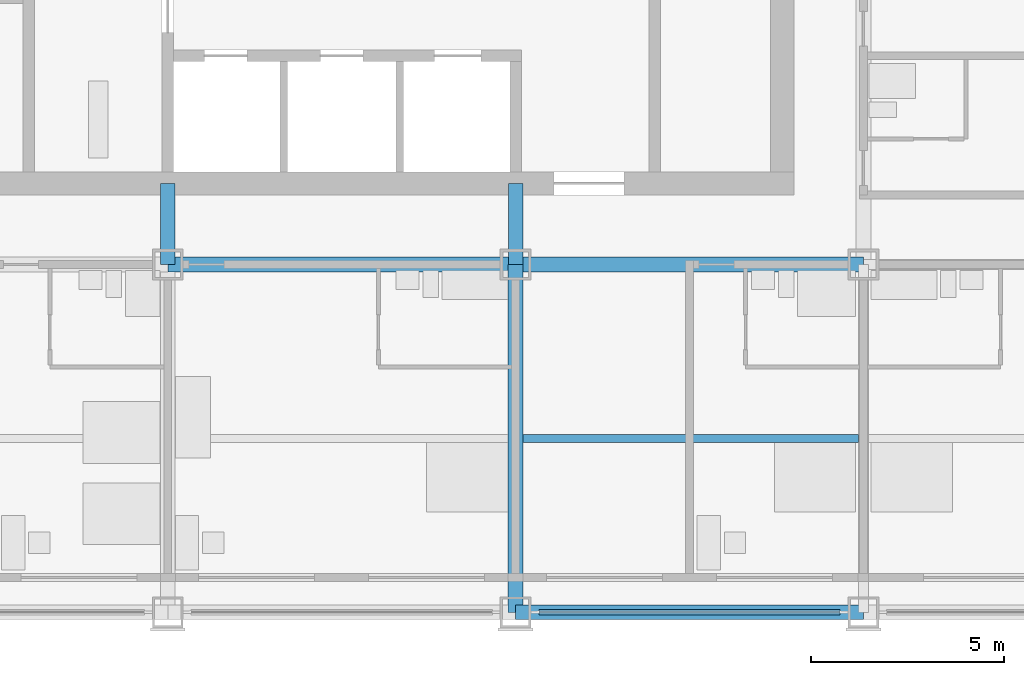
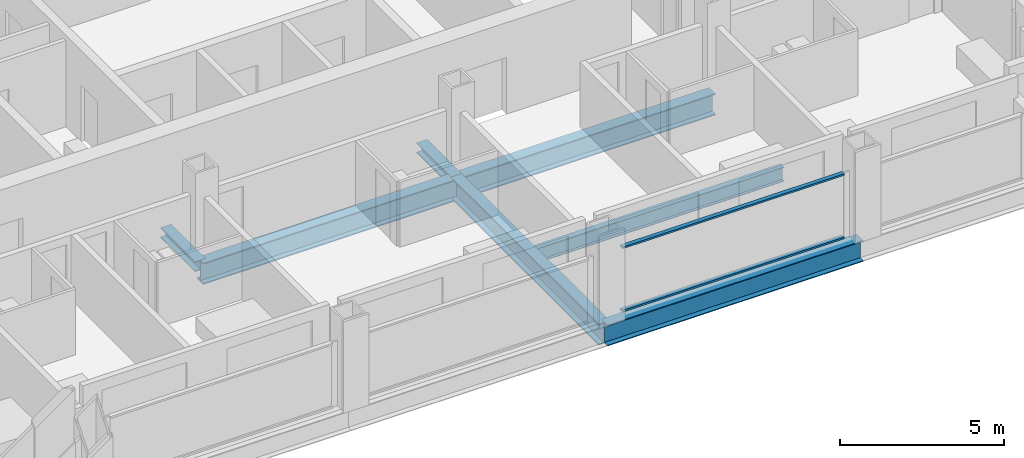
# One storey, part 3 of 17: 5 beams, 4 members, 1 element without a shape of its own.
"""IFC4 building model written with IfcOpenShell, lengths in metres."""

import ifcopenshell
import ifcopenshell.guid

model = None  # the IFC model being written
_history = None  # IfcOwnerHistory: only IFC2X3 demands one
_inside = {}  # id of a spatial element -> (the spatial element, [elements in it])
_under = {}  # id of a project, library or spatial element -> (it, [spatial elements below it])
_declared = {}  # id of a project -> (the project, [libraries it declares])
_typed = {}  # id of a type object -> (the type object, [elements of that type])
_made_of = {}  # id of a material, layer set ... -> (it, [elements and type objects made of it])


def new_model(schema):
    """Start an empty IFC model of exactly this schema.

    Asked for "IFC4X3", IfcOpenShell would pick the latest addendum, in which some entities
    have other attributes; the version numbers below select the first issue.
    IFC2X3 requires an IfcOwnerHistory on every rooted entity: one is made here for all.
    """
    global model, _history
    if schema == "IFC4X3":
        model = ifcopenshell.file(schema_version=(4, 3, 0, 0))
    else:
        model = ifcopenshell.file(schema=schema)
    _inside.clear()
    _under.clear()
    _declared.clear()
    _typed.clear()
    _made_of.clear()
    _history = None
    if model.schema == "IFC2X3":
        org = make("IfcOrganization", Name="unknown")
        user = make(
            "IfcPersonAndOrganization",
            ThePerson=make("IfcPerson", FamilyName="unknown"),
            TheOrganization=org,
        )
        app = make(
            "IfcApplication",
            ApplicationDeveloper=org,
            Version="unknown",
            ApplicationFullName="unknown",
            ApplicationIdentifier="unknown",
        )
        _history = make(
            "IfcOwnerHistory",
            OwningUser=user,
            OwningApplication=app,
            ChangeAction="ADDED",
            CreationDate=0,
        )
    return model


def make(cls, **values):
    """One entity of the class cls with the attributes given. An attribute that is None is left unset."""
    return model.create_entity(
        cls, **{name: value for name, value in values.items() if value is not None}
    )


def rooted(cls, **values):
    """An entity with a GlobalId (a new one), such as an element, a storey or a relation."""
    return make(cls, GlobalId=ifcopenshell.guid.new(), OwnerHistory=_history, **values)


def si_unit(unit_type, name, prefix=None):
    """IfcSIUnit, for example si_unit("LENGTHUNIT", "METRE", prefix="MILLI")."""
    return make("IfcSIUnit", UnitType=unit_type, Prefix=prefix, Name=name)


def assignment(units):
    """IfcUnitAssignment: the units of a project."""
    return None if units is None else make("IfcUnitAssignment", Units=units)


def point(xyz):
    """IfcCartesianPoint."""
    return None if xyz is None else make("IfcCartesianPoint", Coordinates=xyz)


def direction(xyz):
    """IfcDirection."""
    return None if xyz is None else make("IfcDirection", DirectionRatios=xyz)


def frame(location, z_axis=None, x_axis=None):
    """IfcAxis2Placement3D, a coordinate frame: its origin and axes. An axis left out is left unset."""
    return make(
        "IfcAxis2Placement3D",
        Location=point(location),
        Axis=direction(z_axis),
        RefDirection=direction(x_axis),
    )


def frame_2d(location, x_axis=None):
    """IfcAxis2Placement2D, a coordinate frame in the plane: its origin and x axis."""
    return make(
        "IfcAxis2Placement2D", Location=point(location), RefDirection=direction(x_axis)
    )


def origin():
    """The frame at (0, 0, 0) with its axes left unset."""
    return frame((0.0, 0.0, 0.0))


def origin_2d():
    """The frame at (0, 0) in the plane with its x axis left unset."""
    return frame_2d((0.0, 0.0))


def place(relative_to, where):
    """IfcLocalPlacement: puts the frame where relative to a parent placement (None: the world)."""
    return make(
        "IfcLocalPlacement", PlacementRelTo=relative_to, RelativePlacement=where
    )


def context(
    kind, dimensions, precision=None, world=None, true_north=None, identifier=None
):
    """IfcGeometricRepresentationContext, for example the 3D "Model" context."""
    return make(
        "IfcGeometricRepresentationContext",
        ContextIdentifier=identifier,
        ContextType=kind,
        CoordinateSpaceDimension=dimensions,
        Precision=precision,
        WorldCoordinateSystem=world,
        TrueNorth=true_north,
    )


def subcontext(parent, identifier, kind, view, scale=None):
    """IfcGeometricRepresentationSubContext, for example "Body" below "Model"."""
    return make(
        "IfcGeometricRepresentationSubContext",
        ContextIdentifier=identifier,
        ContextType=kind,
        ParentContext=parent,
        TargetScale=scale,
        TargetView=view,
    )


def project(units=None, contexts=None):
    """IfcProject with its units and contexts."""
    return rooted(
        "IfcProject",
        Name="project",
        RepresentationContexts=contexts,
        UnitsInContext=assignment(units),
    )


def spatial(cls, under=None, at=None, **own):
    """A site, building, storey or space (cls), placed at a placement, below another one or the project."""
    s = rooted(cls, ObjectPlacement=at, **own)
    if under is not None:
        _under.setdefault(under.id(), (under, []))[1].append(s)
    return s


def profile(cls, at=None, kind="AREA", **sizes):
    """A parametric profile (cls). Its sizes go by their IFC names, for example OverallWidth=200.0."""
    return make(cls, ProfileType=kind, Position=at, **sizes)


def rectangle(**sizes):
    """IfcRectangleProfileDef."""
    return profile("IfcRectangleProfileDef", **sizes)


def i_section(**sizes):
    """IfcIShapeProfileDef."""
    return profile("IfcIShapeProfileDef", **sizes)


def extrude(swept, where, along, depth):
    """IfcExtrudedAreaSolid: the profile swept, set in the frame where, extruded along a direction by depth."""
    return make(
        "IfcExtrudedAreaSolid",
        SweptArea=swept,
        Position=where,
        ExtrudedDirection=direction(along),
        Depth=depth,
    )


def shape(context_of_items, identifier, shape_type, items):
    """IfcShapeRepresentation: the items that make up one representation, for example the "Body"."""
    return make(
        "IfcShapeRepresentation",
        ContextOfItems=context_of_items,
        RepresentationIdentifier=identifier,
        RepresentationType=shape_type,
        Items=items,
    )


def material(Name=None, Category=None):
    """IfcMaterial."""
    return make("IfcMaterial", Name=Name, Category=Category)


def material_profile(
    of_material, cross_section, Name=None, Category=None, Priority=None
):
    """IfcMaterialProfile: a cross section and its material."""
    return make(
        "IfcMaterialProfile",
        Name=Name,
        Material=of_material,
        Profile=cross_section,
        Priority=Priority,
        Category=Category,
    )


def profile_set(profiles, Name=None, composite=None):
    """IfcMaterialProfileSet."""
    return make(
        "IfcMaterialProfileSet",
        Name=Name,
        MaterialProfiles=profiles,
        CompositeProfile=composite,
    )


def made_of(thing, what):
    """Note that an element or type object is made of a material, layer set ...; save() writes the relation."""
    if what is not None:
        _made_of.setdefault(what.id(), (what, []))[1].append(thing)
    return thing


def type_object(cls, material=None, **own):
    """A type object (cls), such as IfcWallType, which elements share."""
    return made_of(rooted(cls, **own), material)


def element(
    cls,
    number,
    at=None,
    inside=None,
    cuts=None,
    type_object=None,
    material=None,
    context=None,
    identifier="Body",
    shape_type=None,
    held_by="IfcProductDefinitionShape",
    body=None,
    shapes=None,
    **own,
):
    """One element of the class cls, such as IfcWall. Its Tag is "e" and its number.

    at: its placement. inside: the storey or other place that contains it. cuts: it is an
    opening in that element (IfcRelVoidsElement). A single representation is given by context,
    identifier, shape_type and body (its items); several are given by shapes. held_by: the class
    of the entity that holds the representations. save() writes the other relations.
    """
    e = rooted(cls, Tag="e%d" % number, ObjectPlacement=at, **own)
    if body is not None:
        shapes = [shape(context, identifier, shape_type, body)]
    if shapes is not None:
        e.Representation = make(held_by, Representations=shapes)
    if inside is not None:
        _inside.setdefault(inside.id(), (inside, []))[1].append(e)
    if cuts is not None:
        rooted(
            "IfcRelVoidsElement", RelatingBuildingElement=cuts, RelatedOpeningElement=e
        )
    if type_object is not None:
        _typed.setdefault(type_object.id(), (type_object, []))[1].append(e)
    return made_of(e, material)


def aggregate(whole, parts):
    """IfcRelAggregates: a whole, such as a stair, and the parts it consists of."""
    return rooted("IfcRelAggregates", RelatingObject=whole, RelatedObjects=parts)


def save(model, path):
    """Write the relations noted so far, then the file.

    IfcRelAggregates (storeys below a building ...), IfcRelContainedInSpatialStructure (elements
    in a storey), IfcRelDefinesByType, IfcRelAssociatesMaterial and IfcRelDeclares: one each for
    every whole, place, type object, material and project.
    """
    for whole, parts in _under.values():
        aggregate(whole, parts)
    for where, things in _inside.values():
        rooted(
            "IfcRelContainedInSpatialStructure",
            RelatedElements=things,
            RelatingStructure=where,
        )
    for kind, things in _typed.values():
        rooted("IfcRelDefinesByType", RelatedObjects=things, RelatingType=kind)
    for what, things in _made_of.values():
        rooted("IfcRelAssociatesMaterial", RelatedObjects=things, RelatingMaterial=what)
    for by, libraries in _declared.values():
        rooted("IfcRelDeclares", RelatingContext=by, RelatedDefinitions=libraries)
    model.write(path)


model = new_model("IFC4")

# Units and contexts
model_context = context("Model", 3, precision=1e-05, world=origin(), true_north=direction((0.0, 1.0)))
body_context = subcontext(model_context, "Body", "Model", "MODEL_VIEW")
ifc_project = project(units=[si_unit("LENGTHUNIT", "METRE"), si_unit("AREAUNIT", "SQUARE_METRE"), si_unit("VOLUMEUNIT", "CUBIC_METRE"), si_unit("PLANEANGLEUNIT", "RADIAN"), si_unit("MASSUNIT", "GRAM", prefix="KILO")], contexts=[model_context])

# Site, building, storey
site_placement = place(None, origin())
site = spatial("IfcSite", under=ifc_project, at=site_placement, CompositionType="ELEMENT")
building_placement = place(site_placement, origin())
building = spatial("IfcBuilding", under=site, at=building_placement, Name="Loomwork Tower", CompositionType="ELEMENT")
storey_placement = place(building_placement, frame((0.0, 0.0, 141.800048828125)))
storey = spatial("IfcBuildingStorey", under=building, at=storey_placement, Name="L38", CompositionType="ELEMENT", Elevation=141.800048828125)

# Beams
ifc_material_1 = material(Name="Steel ASTM A992", Category="steel")
ifc_material_profile_1 = material_profile(ifc_material_1, i_section(OverallWidth=0.383544921875, OverallDepth=0.794921875, WebThickness=0.02099609375, FlangeThickness=0.0380859375, at=origin_2d()), Name="W30x235")
ifc_profile_set_1 = profile_set([ifc_material_profile_1], Name="Steel ASTM A992")
beam_type_1 = type_object("IfcBeamType", Name="CORE FLANK GIRDER W30x235", PredefinedType="BEAM", material=ifc_profile_set_1)
for number, where, z_axis, x_axis, name in (
    (1, (18.0, 9.0, -0.59765625), (1.0, 0.0, 0.0), (0.0, 1.0, 0.0), "Core Flank Girder E/4-E/5 L38"),
    (2, (27.0, 9.0, -0.59765625), (1.0, 0.0, 0.0), (0.0, 1.0, 0.0), "Core Flank Girder E/5-E/6 L38"),
    (3, (27.0, 0.0, -0.59765625), (0.0, 1.0, 0.0), (-1.0, 0.0, 0.0), "Core Flank Girder D/5-E/5 L38"),
):
    element("IfcBeam", number, at=place(storey_placement, frame(where, z_axis=z_axis, x_axis=x_axis)), inside=storey, type_object=beam_type_1, Name=name, PredefinedType="BEAM", context=body_context, shape_type="SweptSolid", body=[
        extrude(i_section(OverallWidth=0.383544921875, OverallDepth=0.794921875, WebThickness=0.02099609375, FlangeThickness=0.0380859375, at=origin_2d()), origin(), (0.0, 0.0, 1.0), 9.0),
    ])

# Members
ifc_material_2 = material(Name="Steel ASTM A992", Category="steel")
ifc_material_profile_2 = material_profile(ifc_material_2, i_section(OverallWidth=0.373291015625, OverallDepth=0.373291015625, WebThickness=0.016357421875, FlangeThickness=0.026123046875, at=origin_2d()), Name="W14x132")
ifc_profile_set_2 = profile_set([ifc_material_profile_2], Name="Steel ASTM A992")
member_type_1 = type_object("IfcMemberType", Name="CORE LINK STRUT W14x132", PredefinedType="STRUT", material=ifc_profile_set_2)
for number, where, z_axis, x_axis, name in (
    (4, (27.0, 9.0, -0.38671875), (0.0, 1.0, 0.0), (-1.0, 0.0, 0.0), "Core link strut E/5-27.000,11.100 L38"),
    (5, (18.0, 9.0, -0.38671875), (0.0, 1.0, 0.0), (-1.0, 0.0, 0.0), "Core link strut E/4-18.000,11.100 L38"),
):
    element("IfcMember", number, at=place(storey_placement, frame(where, z_axis=z_axis, x_axis=x_axis)), inside=storey, type_object=member_type_1, Name=name, PredefinedType="STRUT", context=body_context, shape_type="SweptSolid", body=[
        extrude(i_section(OverallWidth=0.373291015625, OverallDepth=0.373291015625, WebThickness=0.016357421875, FlangeThickness=0.026123046875, at=origin_2d()), origin(), (0.0, 0.0, 1.0), 2.10009765625),
    ])

# Beam
ifc_material_3 = material(Name="Steel ASTM A992", Category="steel")
ifc_material_profile_3 = material_profile(ifc_material_3, i_section(OverallWidth=0.2109375, OverallDepth=0.53857421875, WebThickness=0.011474609375, FlangeThickness=0.018798828125, at=origin_2d()), Name="W21x73")
ifc_profile_set_3 = profile_set([ifc_material_profile_3], Name="Steel ASTM A992")
beam_type_2 = type_object("IfcBeamType", Name="FLOOR JOIST W21x73", PredefinedType="JOIST", material=ifc_profile_set_3)
beam_1_placement = place(storey_placement, frame((27.19091796875, 4.5, -0.46923828125), z_axis=(1.0, 0.0, 0.0), x_axis=(0.0, 1.0, 0.0)))
element("IfcBeam", 6, at=beam_1_placement, inside=storey, type_object=beam_type_2, Name="Floor Joist 27.000,4.500-36.000,4.500 L38", PredefinedType="JOIST", context=body_context, shape_type="SweptSolid", body=[
    extrude(i_section(OverallWidth=0.2109375, OverallDepth=0.53857421875, WebThickness=0.011474609375, FlangeThickness=0.018798828125, at=origin_2d()), origin(), (0.0, 0.0, 1.0), 8.676025390625),
])

# Curtain wall, members
ifc_material_4 = material(Name="Aluminium curtain wall frame", Category="aluminium")
curtain_wall_type = type_object("IfcCurtainWallType", Name="Outer skin glazing hotel", PredefinedType="NOTDEFINED", material=ifc_material_4)
curtain_wall_placement = place(storey_placement, origin())
curtain_wall = element("IfcCurtainWall", 7, at=curtain_wall_placement, inside=storey, type_object=curtain_wall_type, Name="Outer skin glazing hotel cw/S-27", PredefinedType="NOTDEFINED")
ifc_material_5 = material(Name="Aluminium curtain wall frame", Category="aluminium")
ifc_material_profile_4 = material_profile(ifc_material_5, rectangle(XDim=0.14990234375, YDim=0.06494140625, at=origin_2d()), Name="AL 65x150")
ifc_profile_set_4 = profile_set([ifc_material_profile_4], Name="Aluminium curtain wall frame")
member_type_2 = type_object("IfcMemberType", Name="Outer skin glazing hotel transom", PredefinedType="USERDEFINED", material=ifc_profile_set_4)
member_1_placement = place(storey_placement, frame((27.60009765625, 0.0, 0.032470703125), z_axis=(1.0, 0.0, 0.0), x_axis=(0.0, 1.0, 0.0)))
member_1 = element("IfcMember", 8, at=member_1_placement, type_object=member_type_2, Name="CW1 transom 1.1", ObjectType="TRANSOM", PredefinedType="USERDEFINED", context=body_context, shape_type="SweptSolid", body=[
    extrude(rectangle(XDim=0.14990234375, YDim=0.06494140625, at=origin_2d()), origin(), (0.0, 0.0, 1.0), 7.7998046875),
])
member_2_placement = place(storey_placement, frame((27.60009765625, 0.0, 2.3876953125), z_axis=(1.0, 0.0, 0.0), x_axis=(0.0, 1.0, 0.0)))
member_2 = element("IfcMember", 9, at=member_2_placement, type_object=member_type_2, Name="CW1 transom 1.2", ObjectType="TRANSOM", PredefinedType="USERDEFINED", context=body_context, shape_type="SweptSolid", body=[
    extrude(rectangle(XDim=0.14990234375, YDim=0.06494140625, at=origin_2d()), origin(), (0.0, 0.0, 1.0), 7.7998046875),
])
aggregate(curtain_wall, [member_1, member_2])

# Beam
ifc_material_6 = material(Name="Steel ASTM A992", Category="steel")
ifc_material_profile_5 = material_profile(ifc_material_6, i_section(OverallWidth=0.381103515625, OverallDepth=0.77978515625, WebThickness=0.01806640625, FlangeThickness=0.0302734375, at=origin_2d()), Name="W30x191")
ifc_profile_set_5 = profile_set([ifc_material_profile_5], Name="Steel ASTM A992")
beam_type_3 = type_object("IfcBeamType", Name="SPANDREL GIRDER W30x191", PredefinedType="SPANDREL", material=ifc_profile_set_5)
beam_2_placement = place(storey_placement, frame((27.0, 0.0, -0.58984375), z_axis=(1.0, 0.0, 0.0), x_axis=(0.0, 1.0, 0.0)))
element("IfcBeam", 10, at=beam_2_placement, inside=storey, type_object=beam_type_3, Name="Spandrel Girder D/5-D/6 L38", PredefinedType="SPANDREL", context=body_context, shape_type="SweptSolid", body=[
    extrude(i_section(OverallWidth=0.381103515625, OverallDepth=0.77978515625, WebThickness=0.01806640625, FlangeThickness=0.0302734375, at=origin_2d()), origin(), (0.0, 0.0, 1.0), 9.0),
])

save(model, "model.ifc")
